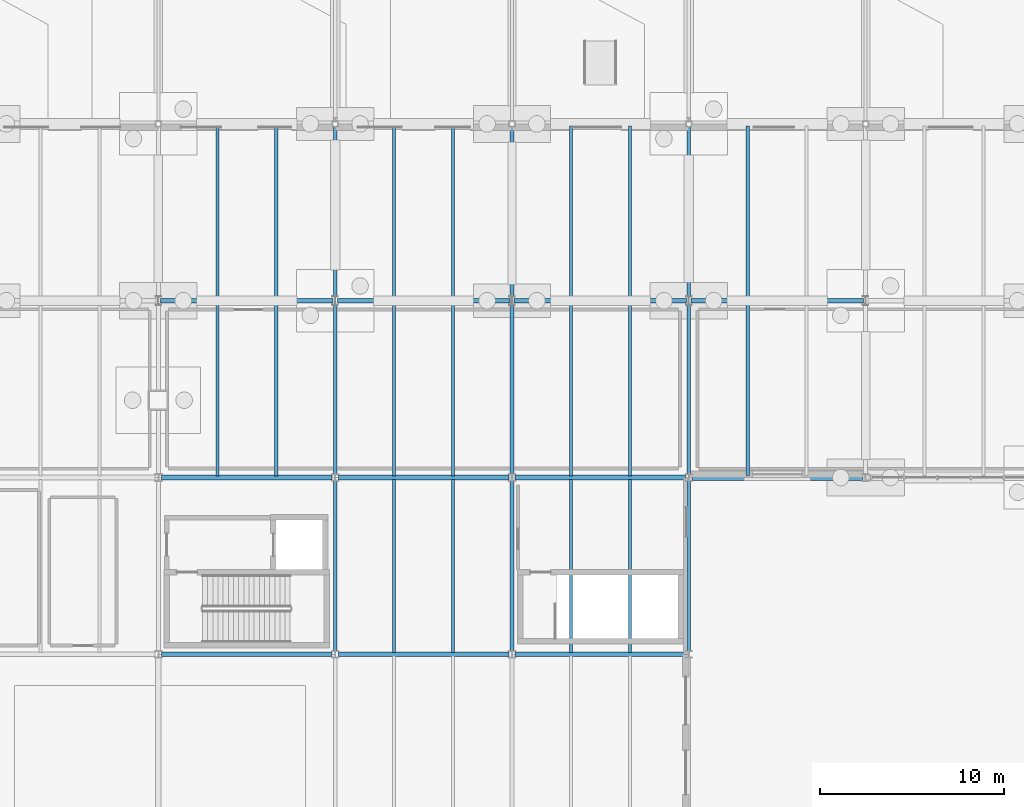
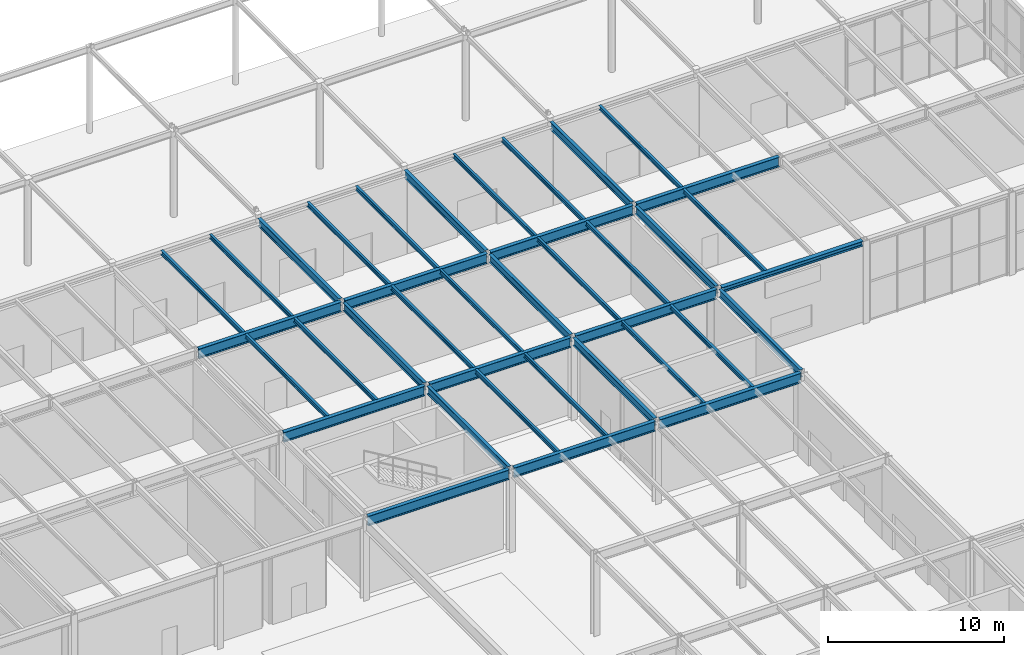
# One storey, part 94 of 142: 38 beams.
"""IFC4 building model written with IfcOpenShell, lengths in metres."""

from ifc_helpers import new_model, si_unit, direction, frame, origin, origin_2d, place, context, subcontext, project, spatial, i_section, extrude, material, material_profile, profile_set, type_object, element, save


model = new_model("IFC4")

# Units and contexts
model_context = context("Model", 3, precision=1e-05, world=origin(), true_north=direction((0.0, 1.0)))
body_context = subcontext(model_context, "Body", "Model", "MODEL_VIEW")
ifc_project = project(units=[si_unit("LENGTHUNIT", "METRE"), si_unit("AREAUNIT", "SQUARE_METRE"), si_unit("VOLUMEUNIT", "CUBIC_METRE"), si_unit("PLANEANGLEUNIT", "RADIAN"), si_unit("MASSUNIT", "GRAM", prefix="KILO")], contexts=[model_context])

# Site, building, storey
site_placement = place(None, origin())
site = spatial("IfcSite", under=ifc_project, at=site_placement, CompositionType="ELEMENT")
building_placement = place(site_placement, origin())
building = spatial("IfcBuilding", under=site, at=building_placement, Name="Coralgate Yard Interchange", CompositionType="ELEMENT")
storey_placement = place(building_placement, origin())
storey = spatial("IfcBuildingStorey", under=building, at=storey_placement, Name="L00", CompositionType="ELEMENT", Elevation=0.0)

# Beams
ifc_material = material(Name="Structural steel S355J2", Category="steel")
ifc_material_profile_1 = material_profile(ifc_material, i_section(OverallWidth=0.209228515625, OverallDepth=0.533203125, WebThickness=0.010009765625, FlangeThickness=0.015625, FilletRadius=0.0126953125, at=origin_2d()), Name="UB 533x210x92")
ifc_profile_set_1 = profile_set([ifc_material_profile_1], Name="Structural steel S355J2")
beam_type_1 = type_object("IfcBeamType", Name="BM-SB-1", PredefinedType="BEAM", material=ifc_profile_set_1)
beam_1_placement = place(storey_placement, frame((134.39990234375, 67.36669921875, 5.4833984375), z_axis=(0.0, 1.0, 0.0), x_axis=(-1.0, 0.0, 0.0)))
element("IfcBeam", 1, at=beam_1_placement, inside=storey, type_object=beam_type_1, Name="L00 primary grid girder X14 Y7-8", PredefinedType="BEAM", context=body_context, shape_type="SweptSolid", body=[
    extrude(i_section(OverallWidth=0.209228515625, OverallDepth=0.533203125, WebThickness=0.010009765625, FlangeThickness=0.015625, FilletRadius=0.0126953125, at=origin_2d()), origin(), (0.0, 0.0, 1.0), 9.2666015625),
])
beam_2_placement = place(storey_placement, frame((134.39990234375, 76.966796875, 5.4833984375), z_axis=(0.0, 1.0, 0.0), x_axis=(-1.0, 0.0, 0.0)))
element("IfcBeam", 2, at=beam_2_placement, inside=storey, type_object=beam_type_1, Name="L00 primary grid girder X14 Y8-9", PredefinedType="BEAM", context=body_context, shape_type="SweptSolid", body=[
    extrude(i_section(OverallWidth=0.209228515625, OverallDepth=0.533203125, WebThickness=0.010009765625, FlangeThickness=0.015625, FilletRadius=0.0126953125, at=origin_2d()), origin(), (0.0, 0.0, 1.0), 9.213134765625),
])
beam_3_placement = place(storey_placement, frame((134.39990234375, 86.6201171875, 5.4833984375), z_axis=(0.0, 1.0, 0.0), x_axis=(-1.0, 0.0, 0.0)))
element("IfcBeam", 3, at=beam_3_placement, inside=storey, type_object=beam_type_1, Name="L00 primary grid girder X14 Y9-10", PredefinedType="BEAM", context=body_context, shape_type="SweptSolid", body=[
    extrude(i_section(OverallWidth=0.209228515625, OverallDepth=0.533203125, WebThickness=0.010009765625, FlangeThickness=0.015625, FilletRadius=0.0126953125, at=origin_2d()), origin(), (0.0, 0.0, 1.0), 9.247802734375),
])
beam_4_placement = place(storey_placement, frame((144.0, 67.36669921875, 5.4833984375), z_axis=(0.0, 1.0, 0.0), x_axis=(-1.0, 0.0, 0.0)))
element("IfcBeam", 4, at=beam_4_placement, inside=storey, type_object=beam_type_1, Name="L00 primary grid girder X15 Y7-8", PredefinedType="BEAM", context=body_context, shape_type="SweptSolid", body=[
    extrude(i_section(OverallWidth=0.209228515625, OverallDepth=0.533203125, WebThickness=0.010009765625, FlangeThickness=0.015625, FilletRadius=0.0126953125, at=origin_2d()), origin(), (0.0, 0.0, 1.0), 9.2666015625),
])
beam_5_placement = place(storey_placement, frame((144.0, 76.966796875, 5.4833984375), z_axis=(0.0, 1.0, 0.0), x_axis=(-1.0, 0.0, 0.0)))
element("IfcBeam", 5, at=beam_5_placement, inside=storey, type_object=beam_type_1, Name="L00 primary grid girder X15 Y8-9", PredefinedType="BEAM", context=body_context, shape_type="SweptSolid", body=[
    extrude(i_section(OverallWidth=0.209228515625, OverallDepth=0.533203125, WebThickness=0.010009765625, FlangeThickness=0.015625, FilletRadius=0.0126953125, at=origin_2d()), origin(), (0.0, 0.0, 1.0), 9.213134765625),
])
beam_6_placement = place(storey_placement, frame((144.0, 86.6201171875, 5.4833984375), z_axis=(0.0, 1.0, 0.0), x_axis=(-1.0, 0.0, 0.0)))
element("IfcBeam", 6, at=beam_6_placement, inside=storey, type_object=beam_type_1, Name="L00 primary grid girder X15 Y9-10", PredefinedType="BEAM", context=body_context, shape_type="SweptSolid", body=[
    extrude(i_section(OverallWidth=0.209228515625, OverallDepth=0.533203125, WebThickness=0.010009765625, FlangeThickness=0.015625, FilletRadius=0.0126953125, at=origin_2d()), origin(), (0.0, 0.0, 1.0), 9.247802734375),
])
beam_7_placement = place(storey_placement, frame((153.60009765625, 67.36669921875, 5.4833984375), z_axis=(0.0, 1.0, 0.0), x_axis=(-1.0, 0.0, 0.0)))
element("IfcBeam", 7, at=beam_7_placement, inside=storey, type_object=beam_type_1, Name="L00 primary grid girder X16 Y7-8", PredefinedType="BEAM", context=body_context, shape_type="SweptSolid", body=[
    extrude(i_section(OverallWidth=0.209228515625, OverallDepth=0.533203125, WebThickness=0.010009765625, FlangeThickness=0.015625, FilletRadius=0.0126953125, at=origin_2d()), origin(), (0.0, 0.0, 1.0), 9.2666015625),
])
beam_8_placement = place(storey_placement, frame((153.60009765625, 76.966796875, 5.4833984375), z_axis=(0.0, 1.0, 0.0), x_axis=(-1.0, 0.0, 0.0)))
element("IfcBeam", 8, at=beam_8_placement, inside=storey, type_object=beam_type_1, Name="L00 primary grid girder X16 Y8-9", PredefinedType="BEAM", context=body_context, shape_type="SweptSolid", body=[
    extrude(i_section(OverallWidth=0.209228515625, OverallDepth=0.533203125, WebThickness=0.010009765625, FlangeThickness=0.015625, FilletRadius=0.0126953125, at=origin_2d()), origin(), (0.0, 0.0, 1.0), 9.213134765625),
])
beam_9_placement = place(storey_placement, frame((153.60009765625, 86.6201171875, 5.4833984375), z_axis=(0.0, 1.0, 0.0), x_axis=(-1.0, 0.0, 0.0)))
element("IfcBeam", 9, at=beam_9_placement, inside=storey, type_object=beam_type_1, Name="L00 primary grid girder X16 Y9-10", PredefinedType="BEAM", context=body_context, shape_type="SweptSolid", body=[
    extrude(i_section(OverallWidth=0.209228515625, OverallDepth=0.533203125, WebThickness=0.010009765625, FlangeThickness=0.015625, FilletRadius=0.0126953125, at=origin_2d()), origin(), (0.0, 0.0, 1.0), 9.247802734375),
])
ifc_material_profile_2 = material_profile(ifc_material, i_section(OverallWidth=0.253662109375, OverallDepth=0.68359375, WebThickness=0.012451171875, FlangeThickness=0.01904296875, FilletRadius=0.01513671875, at=origin_2d()), Name="UB 686x254x140")
ifc_profile_set_2 = profile_set([ifc_material_profile_2], Name="Structural steel S355J2")
beam_type_2 = type_object("IfcBeamType", Name="BM-SG-4", PredefinedType="BEAM", material=ifc_profile_set_2)
for number, where, z_axis, x_axis, name in (
    (10, (124.969482421875, 67.199951171875, 5.408203125), (1.0, 0.0, 0.0), (0.0, 1.0, 0.0), "L00 primary grid beam Y7 X13-14"),
    (11, (134.569580078125, 67.199951171875, 5.408203125), (1.0, 0.0, 0.0), (0.0, 1.0, 0.0), "L00 primary grid beam Y7 X14-15"),
    (12, (144.16943359375, 67.199951171875, 5.408203125), (1.0, 0.0, 0.0), (0.0, 1.0, 0.0), "L00 primary grid beam Y7 X15-16"),
    (13, (124.969482421875, 76.800048828125, 5.408203125), (1.0, 0.0, 0.0), (0.0, 1.0, 0.0), "L00 primary grid beam Y8 X13-14"),
    (14, (134.569580078125, 76.800048828125, 5.408203125), (1.0, 0.0, 0.0), (0.0, 1.0, 0.0), "L00 primary grid beam Y8 X14-15"),
    (15, (144.16943359375, 76.800048828125, 5.408203125), (1.0, 0.0, 0.0), (0.0, 1.0, 0.0), "L00 primary grid beam Y8 X15-16"),
):
    element("IfcBeam", number, at=place(storey_placement, frame(where, z_axis=z_axis, x_axis=x_axis)), inside=storey, type_object=beam_type_2, Name=name, PredefinedType="BEAM", context=body_context, shape_type="SweptSolid", body=[
        extrude(i_section(OverallWidth=0.253662109375, OverallDepth=0.68359375, WebThickness=0.012451171875, FlangeThickness=0.01904296875, FilletRadius=0.01513671875, at=origin_2d()), origin(), (0.0, 0.0, 1.0), 9.260986328125),
    ])
beam_10_placement = place(storey_placement, frame((124.919921875, 86.39990234375, 5.408203125), z_axis=(1.0, 0.0, 0.0), x_axis=(0.0, 1.0, 0.0)))
element("IfcBeam", 16, at=beam_10_placement, inside=storey, type_object=beam_type_2, Name="L00 primary grid beam Y9 X13-14", PredefinedType="BEAM", context=body_context, shape_type="SweptSolid", body=[
    extrude(i_section(OverallWidth=0.253662109375, OverallDepth=0.68359375, WebThickness=0.012451171875, FlangeThickness=0.01904296875, FilletRadius=0.01513671875, at=origin_2d()), origin(), (0.0, 0.0, 1.0), 9.360107421875),
])
for number, where, z_axis, x_axis, name in (
    (17, (134.52001953125, 86.39990234375, 5.408203125), (1.0, 0.0, 0.0), (0.0, 1.0, 0.0), "L00 primary grid beam Y9 X14-15"),
    (18, (144.1201171875, 86.39990234375, 5.408203125), (1.0, 0.0, 0.0), (0.0, 1.0, 0.0), "L00 primary grid beam Y9 X15-16"),
):
    element("IfcBeam", number, at=place(storey_placement, frame(where, z_axis=z_axis, x_axis=x_axis)), inside=storey, type_object=beam_type_2, Name=name, PredefinedType="BEAM", context=body_context, shape_type="SweptSolid", body=[
        extrude(i_section(OverallWidth=0.253662109375, OverallDepth=0.68359375, WebThickness=0.012451171875, FlangeThickness=0.01904296875, FilletRadius=0.01513671875, at=origin_2d()), origin(), (0.0, 0.0, 1.0), 9.35986328125),
    ])
beam_11_placement = place(storey_placement, frame((153.719970703125, 86.39990234375, 5.408203125), z_axis=(1.0, 0.0, 0.0), x_axis=(0.0, 1.0, 0.0)))
element("IfcBeam", 19, at=beam_11_placement, inside=storey, type_object=beam_type_2, Name="L00 primary grid beam Y9 X16-17", PredefinedType="BEAM", context=body_context, shape_type="SweptSolid", body=[
    extrude(i_section(OverallWidth=0.253662109375, OverallDepth=0.68359375, WebThickness=0.012451171875, FlangeThickness=0.01904296875, FilletRadius=0.01513671875, at=origin_2d()), origin(), (0.0, 0.0, 1.0), 9.360107421875),
])
ifc_material_profile_3 = material_profile(ifc_material, i_section(OverallWidth=0.1650390625, OverallDepth=0.303466796875, WebThickness=0.006103515625, FlangeThickness=0.01025390625, FilletRadius=0.0087890625, at=origin_2d()), Name="UB 305x165x40")
ifc_profile_set_3 = profile_set([ifc_material_profile_3], Name="Structural steel S355J2")
beam_type_3 = type_object("IfcBeamType", Name="BM-SJ-1", PredefinedType="JOIST", material=ifc_profile_set_3)
for number, where, z_axis, x_axis, name in (
    (20, (128.0, 76.89697265625, 5.598388671875), (0.0, 1.0, 0.0), (-1.0, 0.0, 0.0), "L00 composite floor joist 13-8-1"),
    (21, (131.199951171875, 76.89697265625, 5.598388671875), (0.0, 1.0, 0.0), (-1.0, 0.0, 0.0), "L00 composite floor joist 13-8-2"),
):
    element("IfcBeam", number, at=place(storey_placement, frame(where, z_axis=z_axis, x_axis=x_axis)), inside=storey, type_object=beam_type_3, Name=name, PredefinedType="JOIST", context=body_context, shape_type="SweptSolid", body=[
        extrude(i_section(OverallWidth=0.1650390625, OverallDepth=0.303466796875, WebThickness=0.006103515625, FlangeThickness=0.01025390625, FilletRadius=0.0087890625, at=origin_2d()), origin(), (0.0, 0.0, 1.0), 9.406005859375),
    ])
for number, where, z_axis, x_axis, name in (
    (22, (128.0, 86.496826171875, 5.598388671875), (0.0, 1.0, 0.0), (-1.0, 0.0, 0.0), "L00 composite floor joist 13-9-1"),
    (23, (131.199951171875, 86.496826171875, 5.598388671875), (0.0, 1.0, 0.0), (-1.0, 0.0, 0.0), "L00 composite floor joist 13-9-2"),
):
    element("IfcBeam", number, at=place(storey_placement, frame(where, z_axis=z_axis, x_axis=x_axis)), inside=storey, type_object=beam_type_3, Name=name, PredefinedType="JOIST", context=body_context, shape_type="SweptSolid", body=[
        extrude(i_section(OverallWidth=0.1650390625, OverallDepth=0.303466796875, WebThickness=0.006103515625, FlangeThickness=0.01025390625, FilletRadius=0.0087890625, at=origin_2d()), origin(), (0.0, 0.0, 1.0), 9.383056640625),
    ])
for number, where, z_axis, x_axis, name in (
    (24, (137.60009765625, 67.296875, 5.598388671875), (0.0, 1.0, 0.0), (-1.0, 0.0, 0.0), "L00 composite floor joist 14-7-1"),
    (25, (140.800048828125, 67.296875, 5.598388671875), (0.0, 1.0, 0.0), (-1.0, 0.0, 0.0), "L00 composite floor joist 14-7-2"),
):
    element("IfcBeam", number, at=place(storey_placement, frame(where, z_axis=z_axis, x_axis=x_axis)), inside=storey, type_object=beam_type_3, Name=name, PredefinedType="JOIST", context=body_context, shape_type="SweptSolid", body=[
        extrude(i_section(OverallWidth=0.1650390625, OverallDepth=0.303466796875, WebThickness=0.006103515625, FlangeThickness=0.01025390625, FilletRadius=0.0087890625, at=origin_2d()), origin(), (0.0, 0.0, 1.0), 9.40625),
    ])
for number, where, z_axis, x_axis, name in (
    (26, (137.60009765625, 76.89697265625, 5.598388671875), (0.0, 1.0, 0.0), (-1.0, 0.0, 0.0), "L00 composite floor joist 14-8-1"),
    (27, (140.800048828125, 76.89697265625, 5.598388671875), (0.0, 1.0, 0.0), (-1.0, 0.0, 0.0), "L00 composite floor joist 14-8-2"),
):
    element("IfcBeam", number, at=place(storey_placement, frame(where, z_axis=z_axis, x_axis=x_axis)), inside=storey, type_object=beam_type_3, Name=name, PredefinedType="JOIST", context=body_context, shape_type="SweptSolid", body=[
        extrude(i_section(OverallWidth=0.1650390625, OverallDepth=0.303466796875, WebThickness=0.006103515625, FlangeThickness=0.01025390625, FilletRadius=0.0087890625, at=origin_2d()), origin(), (0.0, 0.0, 1.0), 9.406005859375),
    ])
for number, where, z_axis, x_axis, name in (
    (28, (137.60009765625, 86.496826171875, 5.598388671875), (0.0, 1.0, 0.0), (-1.0, 0.0, 0.0), "L00 composite floor joist 14-9-1"),
    (29, (140.800048828125, 86.496826171875, 5.598388671875), (0.0, 1.0, 0.0), (-1.0, 0.0, 0.0), "L00 composite floor joist 14-9-2"),
):
    element("IfcBeam", number, at=place(storey_placement, frame(where, z_axis=z_axis, x_axis=x_axis)), inside=storey, type_object=beam_type_3, Name=name, PredefinedType="JOIST", context=body_context, shape_type="SweptSolid", body=[
        extrude(i_section(OverallWidth=0.1650390625, OverallDepth=0.303466796875, WebThickness=0.006103515625, FlangeThickness=0.01025390625, FilletRadius=0.0087890625, at=origin_2d()), origin(), (0.0, 0.0, 1.0), 9.383056640625),
    ])
for number, where, z_axis, x_axis, name in (
    (30, (147.199951171875, 67.296875, 5.598388671875), (0.0, 1.0, 0.0), (-1.0, 0.0, 0.0), "L00 composite floor joist 15-7-1"),
    (31, (150.39990234375, 67.296875, 5.598388671875), (0.0, 1.0, 0.0), (-1.0, 0.0, 0.0), "L00 composite floor joist 15-7-2"),
):
    element("IfcBeam", number, at=place(storey_placement, frame(where, z_axis=z_axis, x_axis=x_axis)), inside=storey, type_object=beam_type_3, Name=name, PredefinedType="JOIST", context=body_context, shape_type="SweptSolid", body=[
        extrude(i_section(OverallWidth=0.1650390625, OverallDepth=0.303466796875, WebThickness=0.006103515625, FlangeThickness=0.01025390625, FilletRadius=0.0087890625, at=origin_2d()), origin(), (0.0, 0.0, 1.0), 9.40625),
    ])
for number, where, z_axis, x_axis, name in (
    (32, (147.199951171875, 76.89697265625, 5.598388671875), (0.0, 1.0, 0.0), (-1.0, 0.0, 0.0), "L00 composite floor joist 15-8-1"),
    (33, (150.39990234375, 76.89697265625, 5.598388671875), (0.0, 1.0, 0.0), (-1.0, 0.0, 0.0), "L00 composite floor joist 15-8-2"),
):
    element("IfcBeam", number, at=place(storey_placement, frame(where, z_axis=z_axis, x_axis=x_axis)), inside=storey, type_object=beam_type_3, Name=name, PredefinedType="JOIST", context=body_context, shape_type="SweptSolid", body=[
        extrude(i_section(OverallWidth=0.1650390625, OverallDepth=0.303466796875, WebThickness=0.006103515625, FlangeThickness=0.01025390625, FilletRadius=0.0087890625, at=origin_2d()), origin(), (0.0, 0.0, 1.0), 9.406005859375),
    ])
for number, where, z_axis, x_axis, name in (
    (34, (147.199951171875, 86.496826171875, 5.598388671875), (0.0, 1.0, 0.0), (-1.0, 0.0, 0.0), "L00 composite floor joist 15-9-1"),
    (35, (150.39990234375, 86.496826171875, 5.598388671875), (0.0, 1.0, 0.0), (-1.0, 0.0, 0.0), "L00 composite floor joist 15-9-2"),
    (36, (156.800048828125, 76.919921875, 5.598388671875), (0.0, 1.0, 0.0), (-1.0, 0.0, 0.0), "L00 composite floor joist 16-8-1"),
    (37, (156.800048828125, 86.496826171875, 5.598388671875), (0.0, 1.0, 0.0), (-1.0, 0.0, 0.0), "L00 composite floor joist 16-9-1"),
):
    element("IfcBeam", number, at=place(storey_placement, frame(where, z_axis=z_axis, x_axis=x_axis)), inside=storey, type_object=beam_type_3, Name=name, PredefinedType="JOIST", context=body_context, shape_type="SweptSolid", body=[
        extrude(i_section(OverallWidth=0.1650390625, OverallDepth=0.303466796875, WebThickness=0.006103515625, FlangeThickness=0.01025390625, FilletRadius=0.0087890625, at=origin_2d()), origin(), (0.0, 0.0, 1.0), 9.383056640625),
    ])
ifc_material_profile_4 = material_profile(ifc_material, i_section(OverallWidth=0.300048828125, OverallDepth=0.35009765625, WebThickness=0.010009765625, FlangeThickness=0.017578125, FilletRadius=0.027099609375, at=origin_2d()), Name="HEA 360")
ifc_profile_set_4 = profile_set([ifc_material_profile_4], Name="Structural steel S355J2")
beam_type_4 = type_object("IfcBeamType", Name="BM-SP-1", PredefinedType="SPANDREL", material=ifc_profile_set_4)
beam_12_placement = place(storey_placement, frame((153.76953125, 76.800048828125, 5.574951171875), z_axis=(1.0, 0.0, 0.0), x_axis=(0.0, 1.0, 0.0)))
element("IfcBeam", 38, at=beam_12_placement, inside=storey, type_object=beam_type_4, Name="L00 primary grid beam Y8 X16-17", PredefinedType="SPANDREL", context=body_context, shape_type="SweptSolid", body=[
    extrude(i_section(OverallWidth=0.300048828125, OverallDepth=0.35009765625, WebThickness=0.010009765625, FlangeThickness=0.017578125, FilletRadius=0.027099609375, at=origin_2d()), origin(), (0.0, 0.0, 1.0), 9.260986328125),
])

save(model, "model.ifc")
